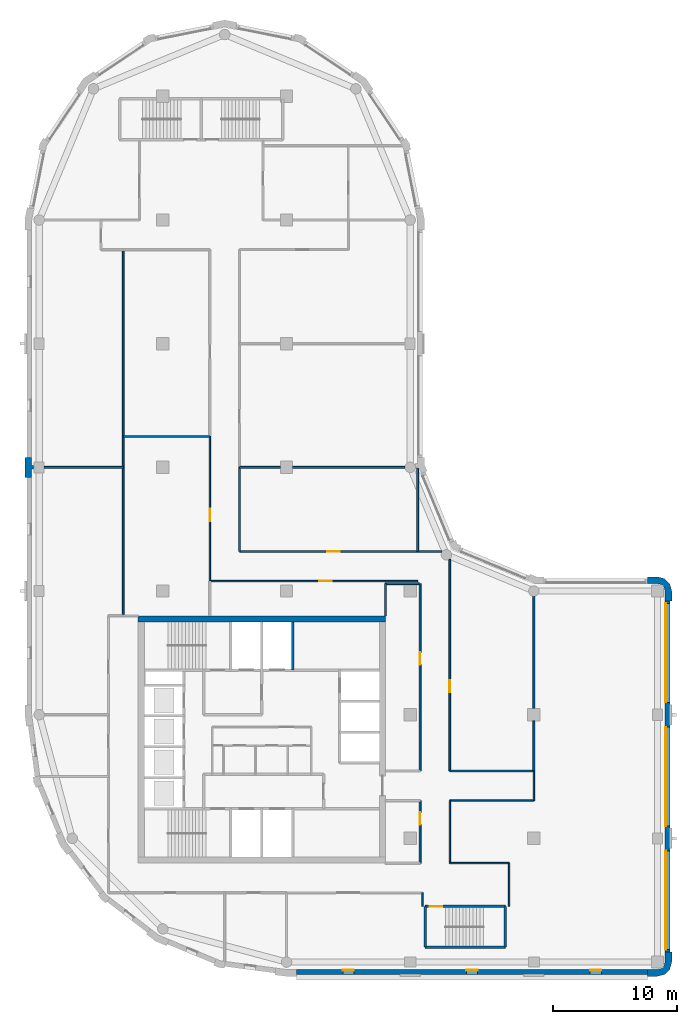
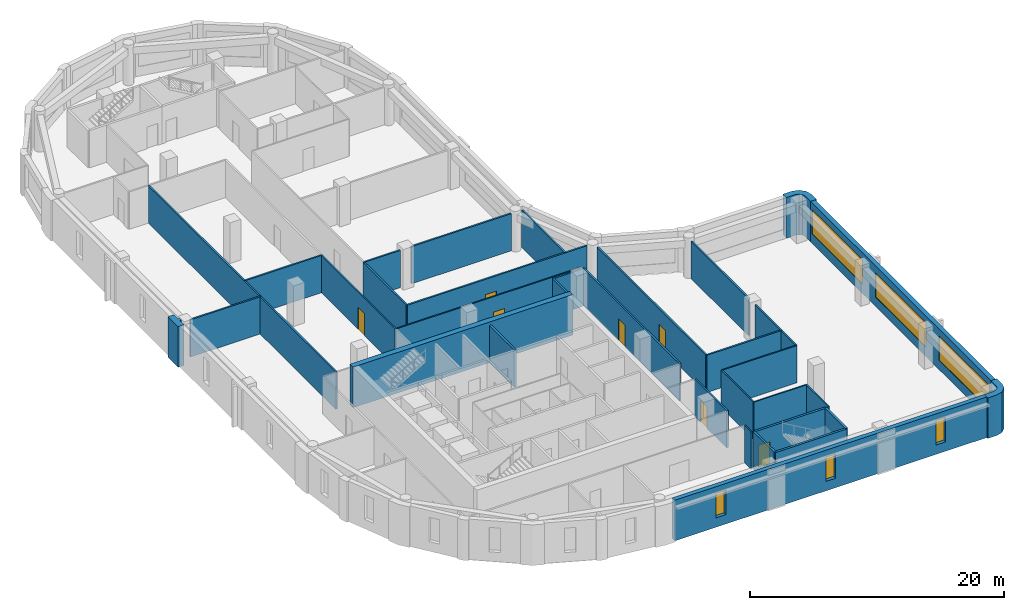
# One storey, part 4 of 9: 35 walls, 7 doors, 6 windows, 13 openings.
"""IFC4 building model written with IfcOpenShell, lengths in metres."""

import ifcopenshell
import ifcopenshell.guid

model = None  # the IFC model being written
_history = None  # IfcOwnerHistory: only IFC2X3 demands one
_inside = {}  # id of a spatial element -> (the spatial element, [elements in it])
_under = {}  # id of a project, library or spatial element -> (it, [spatial elements below it])
_declared = {}  # id of a project -> (the project, [libraries it declares])
_typed = {}  # id of a type object -> (the type object, [elements of that type])
_made_of = {}  # id of a material, layer set ... -> (it, [elements and type objects made of it])


def new_model(schema):
    """Start an empty IFC model of exactly this schema.

    Asked for "IFC4X3", IfcOpenShell would pick the latest addendum, in which some entities
    have other attributes; the version numbers below select the first issue.
    IFC2X3 requires an IfcOwnerHistory on every rooted entity: one is made here for all.
    """
    global model, _history
    if schema == "IFC4X3":
        model = ifcopenshell.file(schema_version=(4, 3, 0, 0))
    else:
        model = ifcopenshell.file(schema=schema)
    _inside.clear()
    _under.clear()
    _declared.clear()
    _typed.clear()
    _made_of.clear()
    _history = None
    if model.schema == "IFC2X3":
        org = make("IfcOrganization", Name="unknown")
        user = make(
            "IfcPersonAndOrganization",
            ThePerson=make("IfcPerson", FamilyName="unknown"),
            TheOrganization=org,
        )
        app = make(
            "IfcApplication",
            ApplicationDeveloper=org,
            Version="unknown",
            ApplicationFullName="unknown",
            ApplicationIdentifier="unknown",
        )
        _history = make(
            "IfcOwnerHistory",
            OwningUser=user,
            OwningApplication=app,
            ChangeAction="ADDED",
            CreationDate=0,
        )
    return model


def make(cls, **values):
    """One entity of the class cls with the attributes given. An attribute that is None is left unset."""
    return model.create_entity(
        cls, **{name: value for name, value in values.items() if value is not None}
    )


def rooted(cls, **values):
    """An entity with a GlobalId (a new one), such as an element, a storey or a relation."""
    return make(cls, GlobalId=ifcopenshell.guid.new(), OwnerHistory=_history, **values)


def si_unit(unit_type, name, prefix=None):
    """IfcSIUnit, for example si_unit("LENGTHUNIT", "METRE", prefix="MILLI")."""
    return make("IfcSIUnit", UnitType=unit_type, Prefix=prefix, Name=name)


def assignment(units):
    """IfcUnitAssignment: the units of a project."""
    return None if units is None else make("IfcUnitAssignment", Units=units)


def point(xyz):
    """IfcCartesianPoint."""
    return None if xyz is None else make("IfcCartesianPoint", Coordinates=xyz)


def direction(xyz):
    """IfcDirection."""
    return None if xyz is None else make("IfcDirection", DirectionRatios=xyz)


def frame(location, z_axis=None, x_axis=None):
    """IfcAxis2Placement3D, a coordinate frame: its origin and axes. An axis left out is left unset."""
    return make(
        "IfcAxis2Placement3D",
        Location=point(location),
        Axis=direction(z_axis),
        RefDirection=direction(x_axis),
    )


def frame_2d(location, x_axis=None):
    """IfcAxis2Placement2D, a coordinate frame in the plane: its origin and x axis."""
    return make(
        "IfcAxis2Placement2D", Location=point(location), RefDirection=direction(x_axis)
    )


def origin():
    """The frame at (0, 0, 0) with its axes left unset."""
    return frame((0.0, 0.0, 0.0))


def place(relative_to, where):
    """IfcLocalPlacement: puts the frame where relative to a parent placement (None: the world)."""
    return make(
        "IfcLocalPlacement", PlacementRelTo=relative_to, RelativePlacement=where
    )


def context(
    kind, dimensions, precision=None, world=None, true_north=None, identifier=None
):
    """IfcGeometricRepresentationContext, for example the 3D "Model" context."""
    return make(
        "IfcGeometricRepresentationContext",
        ContextIdentifier=identifier,
        ContextType=kind,
        CoordinateSpaceDimension=dimensions,
        Precision=precision,
        WorldCoordinateSystem=world,
        TrueNorth=true_north,
    )


def subcontext(parent, identifier, kind, view, scale=None):
    """IfcGeometricRepresentationSubContext, for example "Body" below "Model"."""
    return make(
        "IfcGeometricRepresentationSubContext",
        ContextIdentifier=identifier,
        ContextType=kind,
        ParentContext=parent,
        TargetScale=scale,
        TargetView=view,
    )


def project(units=None, contexts=None):
    """IfcProject with its units and contexts."""
    return rooted(
        "IfcProject",
        Name="project",
        RepresentationContexts=contexts,
        UnitsInContext=assignment(units),
    )


def spatial(cls, under=None, at=None, **own):
    """A site, building, storey or space (cls), placed at a placement, below another one or the project."""
    s = rooted(cls, ObjectPlacement=at, **own)
    if under is not None:
        _under.setdefault(under.id(), (under, []))[1].append(s)
    return s


def polyline(points):
    """IfcPolyline through the points."""
    return make("IfcPolyline", Points=[point(p) for p in points])


def profile(cls, at=None, kind="AREA", **sizes):
    """A parametric profile (cls). Its sizes go by their IFC names, for example OverallWidth=200.0."""
    return make(cls, ProfileType=kind, Position=at, **sizes)


def rectangle(**sizes):
    """IfcRectangleProfileDef."""
    return profile("IfcRectangleProfileDef", **sizes)


def outline(outer, holes=None, kind="AREA"):
    """IfcArbitraryClosedProfileDef: a profile drawn as a closed curve; with holes, ...WithVoids."""
    if holes is None:
        return make("IfcArbitraryClosedProfileDef", ProfileType=kind, OuterCurve=outer)
    return make(
        "IfcArbitraryProfileDefWithVoids",
        ProfileType=kind,
        OuterCurve=outer,
        InnerCurves=holes,
    )


def extrude(swept, where, along, depth):
    """IfcExtrudedAreaSolid: the profile swept, set in the frame where, extruded along a direction by depth."""
    return make(
        "IfcExtrudedAreaSolid",
        SweptArea=swept,
        Position=where,
        ExtrudedDirection=direction(along),
        Depth=depth,
    )


def shape(context_of_items, identifier, shape_type, items):
    """IfcShapeRepresentation: the items that make up one representation, for example the "Body"."""
    return make(
        "IfcShapeRepresentation",
        ContextOfItems=context_of_items,
        RepresentationIdentifier=identifier,
        RepresentationType=shape_type,
        Items=items,
    )


def material(Name=None, Category=None):
    """IfcMaterial."""
    return make("IfcMaterial", Name=Name, Category=Category)


def layer(
    of_material, thickness, ventilated=None, Name=None, Category=None, Priority=None
):
    """IfcMaterialLayer: one layer of a wall or slab, of a material (None: an air gap)."""
    return make(
        "IfcMaterialLayer",
        Material=of_material,
        LayerThickness=thickness,
        IsVentilated=ventilated,
        Name=Name,
        Category=Category,
        Priority=Priority,
    )


def layer_set(layers, Name=None):
    """IfcMaterialLayerSet."""
    return make("IfcMaterialLayerSet", MaterialLayers=layers, LayerSetName=Name)


def made_of(thing, what):
    """Note that an element or type object is made of a material, layer set ...; save() writes the relation."""
    if what is not None:
        _made_of.setdefault(what.id(), (what, []))[1].append(thing)
    return thing


def type_object(cls, material=None, **own):
    """A type object (cls), such as IfcWallType, which elements share."""
    return made_of(rooted(cls, **own), material)


def element(
    cls,
    number,
    at=None,
    inside=None,
    cuts=None,
    type_object=None,
    material=None,
    context=None,
    identifier="Body",
    shape_type=None,
    held_by="IfcProductDefinitionShape",
    body=None,
    shapes=None,
    **own,
):
    """One element of the class cls, such as IfcWall. Its Tag is "e" and its number.

    at: its placement. inside: the storey or other place that contains it. cuts: it is an
    opening in that element (IfcRelVoidsElement). A single representation is given by context,
    identifier, shape_type and body (its items); several are given by shapes. held_by: the class
    of the entity that holds the representations. save() writes the other relations.
    """
    e = rooted(cls, Tag="e%d" % number, ObjectPlacement=at, **own)
    if body is not None:
        shapes = [shape(context, identifier, shape_type, body)]
    if shapes is not None:
        e.Representation = make(held_by, Representations=shapes)
    if inside is not None:
        _inside.setdefault(inside.id(), (inside, []))[1].append(e)
    if cuts is not None:
        rooted(
            "IfcRelVoidsElement", RelatingBuildingElement=cuts, RelatedOpeningElement=e
        )
    if type_object is not None:
        _typed.setdefault(type_object.id(), (type_object, []))[1].append(e)
    return made_of(e, material)


def fill(opening, filler):
    """IfcRelFillsElement: the door or window that sits in an opening."""
    return rooted(
        "IfcRelFillsElement",
        RelatingOpeningElement=opening,
        RelatedBuildingElement=filler,
    )


def aggregate(whole, parts):
    """IfcRelAggregates: a whole, such as a stair, and the parts it consists of."""
    return rooted("IfcRelAggregates", RelatingObject=whole, RelatedObjects=parts)


def save(model, path):
    """Write the relations noted so far, then the file.

    IfcRelAggregates (storeys below a building ...), IfcRelContainedInSpatialStructure (elements
    in a storey), IfcRelDefinesByType, IfcRelAssociatesMaterial and IfcRelDeclares: one each for
    every whole, place, type object, material and project.
    """
    for whole, parts in _under.values():
        aggregate(whole, parts)
    for where, things in _inside.values():
        rooted(
            "IfcRelContainedInSpatialStructure",
            RelatedElements=things,
            RelatingStructure=where,
        )
    for kind, things in _typed.values():
        rooted("IfcRelDefinesByType", RelatedObjects=things, RelatingType=kind)
    for what, things in _made_of.values():
        rooted("IfcRelAssociatesMaterial", RelatedObjects=things, RelatingMaterial=what)
    for by, libraries in _declared.values():
        rooted("IfcRelDeclares", RelatingContext=by, RelatedDefinitions=libraries)
    model.write(path)


model = new_model("IFC4")

# Units and contexts
model_context = context("Model", 3, precision=1e-05, world=origin(), true_north=direction((0.0, 1.0)))
body_context = subcontext(model_context, "Body", "Model", "MODEL_VIEW")
ifc_project = project(units=[si_unit("LENGTHUNIT", "METRE"), si_unit("AREAUNIT", "SQUARE_METRE"), si_unit("VOLUMEUNIT", "CUBIC_METRE"), si_unit("PLANEANGLEUNIT", "RADIAN"), si_unit("MASSUNIT", "GRAM", prefix="KILO")], contexts=[model_context])

# Site, building, storey
site_placement = place(None, origin())
site = spatial("IfcSite", under=ifc_project, at=site_placement, CompositionType="ELEMENT")
building_placement = place(site_placement, origin())
building = spatial("IfcBuilding", under=site, at=building_placement, Name="Qaws Garden Tower", CompositionType="ELEMENT")
storey_placement = place(building_placement, frame((0.0, 0.0, 263.10009765625)))
storey = spatial("IfcBuildingStorey", under=building, at=storey_placement, Name="L63", CompositionType="ELEMENT", Elevation=263.10009765625)

# Walls
ifc_material_1 = material(Name="Clay facing brick masonry", Category="masonry")
ifc_layer_1 = layer(ifc_material_1, 0.550048828125)
ifc_layer_set_1 = layer_set([ifc_layer_1], Name="Clay facing brick masonry")
wall_type_1 = type_object("IfcWallType", Name="Brick corner pier 550 x 2400", PredefinedType="SOLIDWALL", material=ifc_layer_set_1)
placement = place(storey_placement, origin())
element("IfcWall", 1, at=placement, inside=storey, type_object=wall_type_1, Name="E-L63-pier-03", PredefinedType="SOLIDWALL", context=body_context, shape_type="SweptSolid", body=[
    extrude(outline(polyline([(49.199951171875, -1.0), (49.199951171875, -1.14990234375), (50.0, -1.14990234375), (50.574951171875, -0.995849609375), (50.995849609375, -0.574951171875), (51.14990234375, 0.0), (51.14990234375, 0.800048828125), (51.0, 0.800048828125), (50.60009765625, 0.800048828125), (50.60009765625, 0.0), (50.51953125, -0.300048828125), (50.300048828125, -0.51953125), (50.0, -0.60009765625), (49.199951171875, -0.60009765625), (49.199951171875, -1.0)])), origin(), (0.0, 0.0, 1.0), 3.89990234375),
])
element("IfcWall", 2, at=placement, inside=storey, type_object=wall_type_1, Name="E-L63-pier-06", PredefinedType="SOLIDWALL", context=body_context, shape_type="SweptSolid", body=[
    extrude(outline(polyline([(51.0, 29.199951171875), (51.14990234375, 29.199951171875), (51.14990234375, 30.0), (50.995849609375, 30.574951171875), (50.574951171875, 30.995849609375), (50.0, 31.14990234375), (49.199951171875, 31.14990234375), (49.199951171875, 31.0), (49.199951171875, 30.60009765625), (50.0, 30.60009765625), (50.300048828125, 30.51953125), (50.51953125, 30.300048828125), (50.60009765625, 30.0), (50.60009765625, 29.199951171875), (51.0, 29.199951171875)])), origin(), (0.0, 0.0, 1.0), 3.89990234375),
])

# Wall, openings, windows
ifc_material_2 = material(Name="Clay facing brick masonry", Category="masonry")
ifc_layer_2 = layer(ifc_material_2, 0.39990234375)
ifc_layer_set_2 = layer_set([ifc_layer_2], Name="Clay facing brick masonry")
wall_type_2 = type_object("IfcWallType", Name="Brick infill wall 400", PredefinedType="SOLIDWALL", material=ifc_layer_set_2)
wall_3_placement = place(storey_placement, frame((20.800048828125, -0.800048828125, 0.0), z_axis=(0.0, 0.0, 1.0), x_axis=(1.0, 0.0, 0.0)))
wall_3 = element("IfcWall", 3, at=wall_3_placement, inside=storey, type_object=wall_type_2, Name="E-L63-infill-00", PredefinedType="SOLIDWALL", context=body_context, shape_type="SweptSolid", body=[
    extrude(rectangle(XDim=28.39990234375, YDim=0.39990234375, at=frame_2d((14.199951171875, 0.0))), origin(), (0.0, 0.0, 1.0), 3.89990234375),
])
opening_1_placement = place(wall_3_placement, frame((3.75, 0.0, 0.89990234375)))
opening_1 = element("IfcOpeningElement", 4, at=opening_1_placement, cuts=wall_3, Name="Opening W09", PredefinedType="OPENING", context=body_context, shape_type="SweptSolid", body=[
    extrude(rectangle(XDim=0.89990234375, YDim=2.35009765625, at=frame_2d((0.449951171875, 1.175048828125))), frame((0.0, 0.2099609375, 0.0), z_axis=(0.0, -1.0, 0.0), x_axis=(1.0, 0.0, 0.0)), (0.0, 0.0, 1.0), 0.419921875),
])
opening_2_placement = place(wall_3_placement, frame((13.75, 0.0, 0.89990234375)))
opening_2 = element("IfcOpeningElement", 5, at=opening_2_placement, cuts=wall_3, Name="Opening W09", PredefinedType="OPENING", context=body_context, shape_type="SweptSolid", body=[
    extrude(rectangle(XDim=0.89990234375, YDim=2.35009765625, at=frame_2d((0.449951171875, 1.175048828125))), frame((0.0, 0.2099609375, 0.0), z_axis=(0.0, -1.0, 0.0), x_axis=(1.0, 0.0, 0.0)), (0.0, 0.0, 1.0), 0.419921875),
])
opening_3_placement = place(wall_3_placement, frame((23.75, 0.0, 0.89990234375)))
opening_3 = element("IfcOpeningElement", 6, at=opening_3_placement, cuts=wall_3, Name="Opening W09", PredefinedType="OPENING", context=body_context, shape_type="SweptSolid", body=[
    extrude(rectangle(XDim=0.89990234375, YDim=2.35009765625, at=frame_2d((0.449951171875, 1.175048828125))), frame((0.0, 0.2099609375, 0.0), z_axis=(0.0, -1.0, 0.0), x_axis=(1.0, 0.0, 0.0)), (0.0, 0.0, 1.0), 0.419921875),
])
ifc_material_3 = material(Name="Aluminium framed window, clear glazing", Category="aluminium")
window_type_1 = type_object("IfcWindowType", Name="Slit window 900 x 2350", PartitioningType="SINGLE_PANEL", PredefinedType="WINDOW", material=ifc_material_3)
window_1_placement = place(opening_1_placement, origin())
window_1 = element("IfcWindow", 7, at=window_1_placement, inside=storey, type_object=window_type_1, Name="E-L63-window-00-0", OverallHeight=2.35009765625, OverallWidth=0.89990234375, PartitioningType="SINGLE_PANEL", PredefinedType="WINDOW", context=body_context, shape_type="SweptSolid", body=[
    extrude(rectangle(XDim=0.89990234375, YDim=2.35009765625, at=frame_2d((0.449951171875, 1.175048828125))), frame((0.0, 0.159912109375, 0.0), z_axis=(0.0, -1.0, 0.0), x_axis=(1.0, 0.0, 0.0)), (0.0, 0.0, 1.0), 0.06005859375),
])
fill(opening_1, window_1)
window_2_placement = place(opening_2_placement, origin())
window_2 = element("IfcWindow", 8, at=window_2_placement, inside=storey, type_object=window_type_1, Name="E-L63-window-01-0", OverallHeight=2.35009765625, OverallWidth=0.89990234375, PartitioningType="SINGLE_PANEL", PredefinedType="WINDOW", context=body_context, shape_type="SweptSolid", body=[
    extrude(rectangle(XDim=0.89990234375, YDim=2.35009765625, at=frame_2d((0.449951171875, 1.175048828125))), frame((0.0, 0.159912109375, 0.0), z_axis=(0.0, -1.0, 0.0), x_axis=(1.0, 0.0, 0.0)), (0.0, 0.0, 1.0), 0.06005859375),
])
fill(opening_2, window_2)
window_3_placement = place(opening_3_placement, origin())
window_3 = element("IfcWindow", 9, at=window_3_placement, inside=storey, type_object=window_type_1, Name="E-L63-window-02-0", OverallHeight=2.35009765625, OverallWidth=0.89990234375, PartitioningType="SINGLE_PANEL", PredefinedType="WINDOW", context=body_context, shape_type="SweptSolid", body=[
    extrude(rectangle(XDim=0.89990234375, YDim=2.35009765625, at=frame_2d((0.449951171875, 1.175048828125))), frame((0.0, 0.159912109375, 0.0), z_axis=(0.0, -1.0, 0.0), x_axis=(1.0, 0.0, 0.0)), (0.0, 0.0, 1.0), 0.06005859375),
])
fill(opening_3, window_3)

wall_4_placement = place(storey_placement, frame((50.800048828125, 0.800048828125, 0.0), z_axis=(0.0, 0.0, 1.0), x_axis=(0.0, 1.0, 0.0)))
wall_4 = element("IfcWall", 10, at=wall_4_placement, inside=storey, type_object=wall_type_2, Name="E-L63-infill-03", PredefinedType="SOLIDWALL", context=body_context, shape_type="SweptSolid", body=[
    extrude(rectangle(XDim=28.39990234375, YDim=0.39990234375, at=frame_2d((14.199951171875, 0.0))), origin(), (0.0, 0.0, 1.0), 3.89990234375),
])
opening_4_placement = place(wall_4_placement, frame((0.199951171875, 0.0, 0.89990234375)))
opening_4 = element("IfcOpeningElement", 11, at=opening_4_placement, cuts=wall_4, Name="Opening W01", PredefinedType="OPENING", context=body_context, shape_type="SweptSolid", body=[
    extrude(rectangle(XDim=8.0, YDim=2.35009765625, at=frame_2d((4.0, 1.175048828125))), frame((0.0, 0.2099609375, 0.0), z_axis=(0.0, -1.0, 0.0), x_axis=(1.0, 0.0, 0.0)), (0.0, 0.0, 1.0), 0.419921875),
])
opening_5_placement = place(wall_4_placement, frame((10.199951171875, 0.0, 0.89990234375)))
opening_5 = element("IfcOpeningElement", 12, at=opening_5_placement, cuts=wall_4, Name="Opening W01", PredefinedType="OPENING", context=body_context, shape_type="SweptSolid", body=[
    extrude(rectangle(XDim=8.0, YDim=2.35009765625, at=frame_2d((4.0, 1.175048828125))), frame((0.0, 0.2099609375, 0.0), z_axis=(0.0, -1.0, 0.0), x_axis=(1.0, 0.0, 0.0)), (0.0, 0.0, 1.0), 0.419921875),
])
opening_6_placement = place(wall_4_placement, frame((20.199951171875, 0.0, 0.89990234375)))
opening_6 = element("IfcOpeningElement", 13, at=opening_6_placement, cuts=wall_4, Name="Opening W01", PredefinedType="OPENING", context=body_context, shape_type="SweptSolid", body=[
    extrude(rectangle(XDim=8.0, YDim=2.35009765625, at=frame_2d((4.0, 1.175048828125))), frame((0.0, 0.2099609375, 0.0), z_axis=(0.0, -1.0, 0.0), x_axis=(1.0, 0.0, 0.0)), (0.0, 0.0, 1.0), 0.419921875),
])
ifc_material_4 = material(Name="Aluminium framed window, clear glazing", Category="aluminium")
window_type_2 = type_object("IfcWindowType", Name="Ribbon window 8000 x 2350", PartitioningType="DOUBLE_PANEL_VERTICAL", PredefinedType="WINDOW", material=ifc_material_4)
window_4_placement = place(opening_4_placement, origin())
window_4 = element("IfcWindow", 14, at=window_4_placement, inside=storey, type_object=window_type_2, Name="E-L63-window-03-0", OverallHeight=2.35009765625, OverallWidth=8.0, PartitioningType="SINGLE_PANEL", PredefinedType="WINDOW", context=body_context, shape_type="SweptSolid", body=[
    extrude(rectangle(XDim=8.0, YDim=2.35009765625, at=frame_2d((4.0, 1.175048828125))), frame((0.0, 0.159912109375, 0.0), z_axis=(0.0, -1.0, 0.0), x_axis=(1.0, 0.0, 0.0)), (0.0, 0.0, 1.0), 0.06005859375),
])
fill(opening_4, window_4)
window_5_placement = place(opening_5_placement, origin())
window_5 = element("IfcWindow", 15, at=window_5_placement, inside=storey, type_object=window_type_2, Name="E-L63-window-04-0", OverallHeight=2.35009765625, OverallWidth=8.0, PartitioningType="SINGLE_PANEL", PredefinedType="WINDOW", context=body_context, shape_type="SweptSolid", body=[
    extrude(rectangle(XDim=8.0, YDim=2.35009765625, at=frame_2d((4.0, 1.175048828125))), frame((0.0, 0.159912109375, 0.0), z_axis=(0.0, -1.0, 0.0), x_axis=(1.0, 0.0, 0.0)), (0.0, 0.0, 1.0), 0.06005859375),
])
fill(opening_5, window_5)
window_6_placement = place(opening_6_placement, origin())
window_6 = element("IfcWindow", 16, at=window_6_placement, inside=storey, type_object=window_type_2, Name="E-L63-window-05-0", OverallHeight=2.35009765625, OverallWidth=8.0, PartitioningType="SINGLE_PANEL", PredefinedType="WINDOW", context=body_context, shape_type="SweptSolid", body=[
    extrude(rectangle(XDim=8.0, YDim=2.35009765625, at=frame_2d((4.0, 1.175048828125))), frame((0.0, 0.159912109375, 0.0), z_axis=(0.0, -1.0, 0.0), x_axis=(1.0, 0.0, 0.0)), (0.0, 0.0, 1.0), 0.06005859375),
])
fill(opening_6, window_6)

# Walls
ifc_material_5 = material(Name="Clay facing brick masonry", Category="masonry")
ifc_layer_3 = layer(ifc_material_5, 0.550048828125)
ifc_layer_set_3 = layer_set([ifc_layer_3], Name="Clay facing brick masonry")
wall_type_3 = type_object("IfcWallType", Name="Brick pier 550 x 1600", PredefinedType="SOLIDWALL", material=ifc_layer_set_3)
element("IfcWall", 17, at=placement, inside=storey, type_object=wall_type_3, Name="E-L63-pier-21", PredefinedType="SOLIDWALL", context=body_context, shape_type="SweptSolid", body=[
    extrude(outline(polyline([(-0.60009765625, 39.199951171875), (-0.60009765625, 39.85009765625), (-0.449951171875, 39.85009765625), (-0.449951171875, 40.14990234375), (-0.60009765625, 40.14990234375), (-0.60009765625, 40.800048828125), (-1.0, 40.800048828125), (-1.14990234375, 40.800048828125), (-1.14990234375, 40.0), (-1.14990234375, 39.199951171875), (-1.0, 39.199951171875), (-0.60009765625, 39.199951171875)])), origin(), (0.0, 0.0, 1.0), 3.89990234375),
])
ifc_material_6 = material(Name="Concrete C60", Category="concrete")
ifc_layer_4 = layer(ifc_material_6, 0.199951171875)
ifc_layer_set_4 = layer_set([ifc_layer_4], Name="Concrete C60")
wall_type_4 = type_object("IfcWallType", Name="Core shaft wall 200 C60", PredefinedType="SHEAR", material=ifc_layer_set_4)
wall_6_placement = place(storey_placement, frame((31.199951171875, 1.199951171875, 0.0), z_axis=(0.0, 0.0, 1.0), x_axis=(1.0, 0.0, 0.0)))
element("IfcWall", 18, at=wall_6_placement, inside=storey, type_object=wall_type_4, Name="Shaft wall", PredefinedType="SHEAR", context=body_context, shape_type="SweptSolid", body=[
    extrude(rectangle(XDim=6.5, YDim=0.199951171875, at=frame_2d((3.25, 0.0))), origin(), (0.0, 0.0, 1.0), 3.579833984375),
])

# Wall, opening, door
wall_7_placement = place(storey_placement, frame((31.199951171875, 4.5, 0.0), z_axis=(0.0, 0.0, 1.0), x_axis=(1.0, 0.0, 0.0)))
wall_7 = element("IfcWall", 19, at=wall_7_placement, inside=storey, type_object=wall_type_4, Name="Shaft wall", PredefinedType="SHEAR", context=body_context, shape_type="SweptSolid", body=[
    extrude(rectangle(XDim=6.5, YDim=0.199951171875, at=frame_2d((3.25, 0.0))), origin(), (0.0, 0.0, 1.0), 3.579833984375),
])
opening_7_placement = place(wall_7_placement, frame((0.375, 0.0, 0.0)))
opening_7 = element("IfcOpeningElement", 20, at=opening_7_placement, cuts=wall_7, Name="Opening SD12", PredefinedType="OPENING", context=body_context, shape_type="SweptSolid", body=[
    extrude(rectangle(XDim=1.0, YDim=2.10009765625, at=frame_2d((0.5, 1.050048828125))), frame((0.0, 0.10986328125, 0.0), z_axis=(0.0, -1.0, 0.0), x_axis=(1.0, 0.0, 0.0)), (0.0, 0.0, 1.0), 0.219970703125),
])
ifc_material_7 = material(Name="Steel S235", Category="steel")
door_type_1 = type_object("IfcDoorType", Name="Stair door 1000x2100", OperationType="SINGLE_SWING_RIGHT", PredefinedType="DOOR", material=ifc_material_7)
door_1_placement = place(opening_7_placement, frame((1.0, 0.0, 0.0), z_axis=(0.0, 0.0, 1.0), x_axis=(-1.0, 0.0, 0.0)))
door_1 = element("IfcDoor", 21, at=door_1_placement, inside=storey, type_object=door_type_1, Name="Stair 5 door", OperationType="SINGLE_SWING_RIGHT", OverallHeight=2.10009765625, OverallWidth=1.0, PredefinedType="DOOR", context=body_context, shape_type="SweptSolid", body=[
    extrude(rectangle(XDim=1.0, YDim=2.10009765625, at=frame_2d((0.5, 1.050048828125))), frame((0.0, 0.02490234375, 0.0), z_axis=(0.0, -1.0, 0.0), x_axis=(1.0, 0.0, 0.0)), (0.0, 0.0, 1.0), 0.050048828125),
])
fill(opening_7, door_1)

# Walls
wall_8_placement = place(storey_placement, frame((20.5, 23.60009765625, 0.0), z_axis=(0.0, 0.0, 1.0), x_axis=(0.0, 1.0, 0.0)))
element("IfcWall", 22, at=wall_8_placement, inside=storey, type_object=wall_type_4, Name="Shaft wall", PredefinedType="SHEAR", context=body_context, shape_type="SweptSolid", body=[
    extrude(rectangle(XDim=3.89990234375, YDim=0.199951171875, at=frame_2d((1.949951171875, 0.0))), origin(), (0.0, 0.0, 1.0), 3.579833984375),
])
for number, where, z_axis, x_axis, name in (
    (23, (31.199951171875, 1.199951171875, 0.0), (0.0, 0.0, 1.0), (0.0, 1.0, 0.0), "Shaft wall"),
    (24, (37.699951171875, 1.199951171875, 0.0), (0.0, 0.0, 1.0), (0.0, 1.0, 0.0), "Shaft wall"),
):
    element("IfcWall", number, at=place(storey_placement, frame(where, z_axis=z_axis, x_axis=x_axis)), inside=storey, type_object=wall_type_4, Name=name, PredefinedType="SHEAR", context=body_context, shape_type="SweptSolid", body=[
        extrude(rectangle(XDim=3.300048828125, YDim=0.199951171875, at=frame_2d((1.64990234375, 0.0))), origin(), (0.0, 0.0, 1.0), 3.579833984375),
    ])
ifc_material_8 = material(Name="Concrete C60", Category="concrete")
ifc_layer_5 = layer(ifc_material_8, 0.5)
ifc_layer_set_5 = layer_set([ifc_layer_5], Name="Concrete C60")
wall_type_5 = type_object("IfcWallType", Name="Core wall 500 C60", PredefinedType="SHEAR", material=ifc_layer_set_5)
wall_9_placement = place(storey_placement, frame((28.0, 27.75, 0.0), z_axis=(0.0, 0.0, 1.0), x_axis=(-1.0, 0.0, 0.0)))
element("IfcWall", 25, at=wall_9_placement, inside=storey, type_object=wall_type_5, Name="Core wall L63 north", PredefinedType="SHEAR", context=body_context, shape_type="SweptSolid", body=[
    extrude(rectangle(XDim=20.0, YDim=0.5, at=frame_2d((10.0, 0.0))), origin(), (0.0, 0.0, 1.0), 3.89990234375),
])

# Wall, opening, door
ifc_material_9 = material(Name="Glass and aluminium framing", Category="aluminium")
ifc_layer_6 = layer(ifc_material_9, 0.1201171875)
ifc_layer_set_6 = layer_set([ifc_layer_6], Name="Glass and aluminium framing")
wall_type_6 = type_object("IfcWallType", Name="GLAZED PARTITION 120 EI 30", PredefinedType="PARTITIONING", material=ifc_layer_set_6)
wall_10_placement = place(storey_placement, frame((13.800048828125, 30.800048828125, 0.0), z_axis=(0.0, 0.0, 1.0), x_axis=(0.0, 1.0, 0.0)))
wall_10 = element("IfcWall", 26, at=wall_10_placement, inside=storey, type_object=wall_type_6, Name="O-L63-wall-041", PredefinedType="PARTITIONING", context=body_context, shape_type="SweptSolid", body=[
    extrude(rectangle(XDim=11.699951171875, YDim=0.1201171875, at=frame_2d((5.85009765625, 0.0))), origin(), (0.0, 0.0, 1.0), 3.579833984375),
])
opening_8_placement = place(wall_10_placement, frame((4.85009765625, 0.0, 0.0)))
opening_8 = element("IfcOpeningElement", 27, at=opening_8_placement, cuts=wall_10, Name="Opening C217", PredefinedType="OPENING", context=body_context, shape_type="SweptSolid", body=[
    extrude(rectangle(XDim=1.0, YDim=2.10009765625, at=frame_2d((0.5, 1.050048828125))), frame((0.0, 0.070068359375, 0.0), z_axis=(0.0, -1.0, 0.0), x_axis=(1.0, 0.0, 0.0)), (0.0, 0.0, 1.0), 0.14013671875),
])
ifc_material_10 = material(Name="Timber door leaf", Category="wood")
door_type_2 = type_object("IfcDoorType", Name="TENANCY ENTRANCE DOOR 1000 X 2100", OperationType="SINGLE_SWING_LEFT", PredefinedType="DOOR", material=ifc_material_10)
door_2_placement = place(opening_8_placement, origin())
door_2 = element("IfcDoor", 28, at=door_2_placement, inside=storey, type_object=door_type_2, Name="O-L63-door-017", OperationType="SINGLE_SWING_LEFT", OverallHeight=2.10009765625, OverallWidth=1.0, PredefinedType="DOOR", context=body_context, shape_type="SweptSolid", body=[
    extrude(rectangle(XDim=1.0, YDim=2.10009765625, at=frame_2d((0.5, 1.050048828125))), frame((0.0, 0.02490234375, 0.0), z_axis=(0.0, -1.0, 0.0), x_axis=(1.0, 0.0, 0.0)), (0.0, 0.0, 1.0), 0.050048828125),
])
fill(opening_8, door_2)

# Walls
wall_11_placement = place(storey_placement, frame((31.0, 4.5, 0.0), z_axis=(0.0, 0.0, 1.0), x_axis=(0.0, 1.0, 0.0)))
element("IfcWall", 29, at=wall_11_placement, inside=storey, type_object=wall_type_6, Name="O-L63-wall-045", PredefinedType="PARTITIONING", context=body_context, shape_type="SweptSolid", body=[
    extrude(rectangle(XDim=1.10009765625, YDim=0.1201171875, at=frame_2d((0.550048828125, 0.0))), origin(), (0.0, 0.0, 1.0), 3.579833984375),
])
wall_12_placement = place(storey_placement, frame((33.199951171875, 8.0, 0.0), z_axis=(0.0, 0.0, 1.0), x_axis=(0.0, 1.0, 0.0)))
element("IfcWall", 30, at=wall_12_placement, inside=storey, type_object=wall_type_6, Name="O-L63-wall-046", PredefinedType="PARTITIONING", context=body_context, shape_type="SweptSolid", body=[
    extrude(rectangle(XDim=5.050048828125, YDim=0.1201171875, at=frame_2d((2.52490234375, 0.0))), origin(), (0.0, 0.0, 1.0), 3.579833984375),
])
wall_13_placement = place(storey_placement, frame((38.0, 4.5, 0.0), z_axis=(0.0, 0.0, 1.0), x_axis=(0.0, 1.0, 0.0)))
element("IfcWall", 31, at=wall_13_placement, inside=storey, type_object=wall_type_6, Name="O-L63-wall-047", PredefinedType="PARTITIONING", context=body_context, shape_type="SweptSolid", body=[
    extrude(rectangle(XDim=3.5, YDim=0.1201171875, at=frame_2d((1.75, 0.0))), origin(), (0.0, 0.0, 1.0), 3.579833984375),
])
wall_14_placement = place(storey_placement, frame((40.0, 13.050048828125, 0.0), z_axis=(0.0, 0.0, 1.0), x_axis=(0.0, 1.0, 0.0)))
element("IfcWall", 32, at=wall_14_placement, inside=storey, type_object=wall_type_6, Name="O-L63-wall-048", PredefinedType="PARTITIONING", context=body_context, shape_type="SweptSolid", body=[
    extrude(rectangle(XDim=2.39990234375, YDim=0.1201171875, at=frame_2d((1.199951171875, 0.0))), origin(), (0.0, 0.0, 1.0), 3.579833984375),
])
wall_15_placement = place(storey_placement, frame((33.199951171875, 8.0, 0.0), z_axis=(0.0, 0.0, 1.0), x_axis=(1.0, 0.0, 0.0)))
element("IfcWall", 33, at=wall_15_placement, inside=storey, type_object=wall_type_6, Name="O-L63-wall-050", PredefinedType="PARTITIONING", context=body_context, shape_type="SweptSolid", body=[
    extrude(rectangle(XDim=4.800048828125, YDim=0.1201171875, at=frame_2d((2.39990234375, 0.0))), origin(), (0.0, 0.0, 1.0), 3.579833984375),
])
wall_16_placement = place(storey_placement, frame((33.199951171875, 13.050048828125, 0.0), z_axis=(0.0, 0.0, 1.0), x_axis=(1.0, 0.0, 0.0)))
element("IfcWall", 34, at=wall_16_placement, inside=storey, type_object=wall_type_6, Name="O-L63-wall-051", PredefinedType="PARTITIONING", context=body_context, shape_type="SweptSolid", body=[
    extrude(rectangle(XDim=6.800048828125, YDim=0.1201171875, at=frame_2d((3.39990234375, 0.0))), origin(), (0.0, 0.0, 1.0), 3.579833984375),
])

# Wall, opening, door
wall_17_placement = place(storey_placement, frame((13.802001953125, 30.800048828125, 0.0), z_axis=(0.0, 0.0, 1.0), x_axis=(1.0, 0.0, 0.0)))
wall_17 = element("IfcWall", 35, at=wall_17_placement, inside=storey, type_object=wall_type_6, Name="O-L63-wall-053", PredefinedType="PARTITIONING", context=body_context, shape_type="SweptSolid", body=[
    extrude(rectangle(XDim=16.798095703125, YDim=0.1201171875, at=frame_2d((8.39892578125, 0.0))), origin(), (0.0, 0.0, 1.0), 3.579833984375),
])
opening_9_placement = place(wall_17_placement, frame((8.85009765625, 0.0, 0.0)))
opening_9 = element("IfcOpeningElement", 36, at=opening_9_placement, cuts=wall_17, Name="Opening C210", PredefinedType="OPENING", context=body_context, shape_type="SweptSolid", body=[
    extrude(rectangle(XDim=1.0, YDim=2.10009765625, at=frame_2d((0.5, 1.050048828125))), frame((0.0, 0.070068359375, 0.0), z_axis=(0.0, -1.0, 0.0), x_axis=(1.0, 0.0, 0.0)), (0.0, 0.0, 1.0), 0.14013671875),
])
door_3_placement = place(opening_9_placement, frame((1.0, 0.0, 0.0), z_axis=(0.0, 0.0, 1.0), x_axis=(-1.0, 0.0, 0.0)))
door_3 = element("IfcDoor", 37, at=door_3_placement, inside=storey, type_object=door_type_2, Name="O-L63-door-010", OperationType="SINGLE_SWING_LEFT", OverallHeight=2.10009765625, OverallWidth=1.0, PredefinedType="DOOR", context=body_context, shape_type="SweptSolid", body=[
    extrude(rectangle(XDim=1.0, YDim=2.10009765625, at=frame_2d((0.5, 1.050048828125))), frame((0.0, 0.02490234375, 0.0), z_axis=(0.0, -1.0, 0.0), x_axis=(1.0, 0.0, 0.0)), (0.0, 0.0, 1.0), 0.050048828125),
])
fill(opening_9, door_3)

# Walls
ifc_material_11 = material(Name="Gypsum board partition")
ifc_layer_7 = layer(ifc_material_11, 0.14990234375)
ifc_layer_set_7 = layer_set([ifc_layer_7], Name="Gypsum board partition")
wall_type_7 = type_object("IfcWallType", Name="PARTITION 150 EI 60", PredefinedType="PARTITIONING", material=ifc_layer_set_7)
wall_18_placement = place(storey_placement, frame((6.800048828125, 28.0, 0.0), z_axis=(0.0, 0.0, 1.0), x_axis=(0.0, 1.0, 0.0)))
element("IfcWall", 38, at=wall_18_placement, inside=storey, type_object=wall_type_7, Name="O-L63-wall-004", PredefinedType="PARTITIONING", context=body_context, shape_type="SweptSolid", body=[
    extrude(rectangle(XDim=29.60009765625, YDim=0.14990234375, at=frame_2d((14.800048828125, 0.0))), origin(), (0.0, 0.0, 1.0), 3.579833984375),
])
wall_19_placement = place(storey_placement, frame((16.199951171875, 33.199951171875, 0.0), z_axis=(0.0, 0.0, 1.0), x_axis=(0.0, 1.0, 0.0)))
element("IfcWall", 39, at=wall_19_placement, inside=storey, type_object=wall_type_7, Name="O-L63-wall-008", PredefinedType="PARTITIONING", context=body_context, shape_type="SweptSolid", body=[
    extrude(rectangle(XDim=6.800048828125, YDim=0.14990234375, at=frame_2d((3.39990234375, 0.0))), origin(), (0.0, 0.0, 1.0), 3.579833984375),
])
wall_20_placement = place(storey_placement, frame((28.0, 28.0, 0.0), z_axis=(0.0, 0.0, 1.0), x_axis=(0.0, 1.0, 0.0)))
element("IfcWall", 40, at=wall_20_placement, inside=storey, type_object=wall_type_7, Name="O-L63-wall-011", PredefinedType="PARTITIONING", context=body_context, shape_type="SweptSolid", body=[
    extrude(rectangle(XDim=2.597900390625, YDim=0.14990234375, at=frame_2d((1.298828125, 0.0))), origin(), (0.0, 0.0, 1.0), 3.579833984375),
])
wall_21_placement = place(storey_placement, frame((30.60009765625, 33.199951171875, 0.0), z_axis=(0.0, 0.0, 1.0), x_axis=(0.0, 1.0, 0.0)))
element("IfcWall", 41, at=wall_21_placement, inside=storey, type_object=wall_type_7, Name="O-L63-wall-012", PredefinedType="PARTITIONING", context=body_context, shape_type="SweptSolid", body=[
    extrude(rectangle(XDim=6.73828125, YDim=0.14990234375, at=frame_2d((3.369140625, 0.0))), origin(), (0.0, 0.0, 1.0), 3.579833984375),
])

# Wall, opening, door
wall_22_placement = place(storey_placement, frame((30.800048828125, 8.0, 0.0), z_axis=(0.0, 0.0, 1.0), x_axis=(0.0, 1.0, 0.0)))
wall_22 = element("IfcWall", 42, at=wall_22_placement, inside=storey, type_object=wall_type_7, Name="O-L63-wall-013", PredefinedType="PARTITIONING", context=body_context, shape_type="SweptSolid", body=[
    extrude(rectangle(XDim=5.050048828125, YDim=0.14990234375, at=frame_2d((2.52490234375, 0.0))), origin(), (0.0, 0.0, 1.0), 3.579833984375),
])
opening_10_placement = place(wall_22_placement, frame((3.10009765625, 0.0, 0.0)))
opening_10 = element("IfcOpeningElement", 43, at=opening_10_placement, cuts=wall_22, Name="Opening C216", PredefinedType="OPENING", context=body_context, shape_type="SweptSolid", body=[
    extrude(rectangle(XDim=1.0, YDim=2.10009765625, at=frame_2d((0.5, 1.050048828125))), frame((0.0, 0.0849609375, 0.0), z_axis=(0.0, -1.0, 0.0), x_axis=(1.0, 0.0, 0.0)), (0.0, 0.0, 1.0), 0.169921875),
])
door_4_placement = place(opening_10_placement, origin())
door_4 = element("IfcDoor", 44, at=door_4_placement, inside=storey, type_object=door_type_2, Name="O-L63-door-016", OperationType="SINGLE_SWING_RIGHT", OverallHeight=2.10009765625, OverallWidth=1.0, PredefinedType="DOOR", context=body_context, shape_type="SweptSolid", body=[
    extrude(rectangle(XDim=1.0, YDim=2.10009765625, at=frame_2d((0.5, 1.050048828125))), frame((0.0, 0.02490234375, 0.0), z_axis=(0.0, -1.0, 0.0), x_axis=(1.0, 0.0, 0.0)), (0.0, 0.0, 1.0), 0.050048828125),
])
fill(opening_10, door_4)

wall_23_placement = place(storey_placement, frame((30.800048828125, 15.449951171875, 0.0), z_axis=(0.0, 0.0, 1.0), x_axis=(0.0, 1.0, 0.0)))
wall_23 = element("IfcWall", 45, at=wall_23_placement, inside=storey, type_object=wall_type_7, Name="O-L63-wall-014", PredefinedType="PARTITIONING", context=body_context, shape_type="SweptSolid", body=[
    extrude(rectangle(XDim=15.150146484375, YDim=0.14990234375, at=frame_2d((7.5751953125, 0.0))), origin(), (0.0, 0.0, 1.0), 3.579833984375),
])
opening_11_placement = place(wall_23_placement, frame((8.60009765625, 0.0, 0.0)))
opening_11 = element("IfcOpeningElement", 46, at=opening_11_placement, cuts=wall_23, Name="Opening C213", PredefinedType="OPENING", context=body_context, shape_type="SweptSolid", body=[
    extrude(rectangle(XDim=1.0, YDim=2.10009765625, at=frame_2d((0.5, 1.050048828125))), frame((0.0, 0.0849609375, 0.0), z_axis=(0.0, -1.0, 0.0), x_axis=(1.0, 0.0, 0.0)), (0.0, 0.0, 1.0), 0.169921875),
])
door_5_placement = place(opening_11_placement, origin())
door_5 = element("IfcDoor", 47, at=door_5_placement, inside=storey, type_object=door_type_2, Name="O-L63-door-013", OperationType="SINGLE_SWING_RIGHT", OverallHeight=2.10009765625, OverallWidth=1.0, PredefinedType="DOOR", context=body_context, shape_type="SweptSolid", body=[
    extrude(rectangle(XDim=1.0, YDim=2.10009765625, at=frame_2d((0.5, 1.050048828125))), frame((0.0, 0.02490234375, 0.0), z_axis=(0.0, -1.0, 0.0), x_axis=(1.0, 0.0, 0.0)), (0.0, 0.0, 1.0), 0.050048828125),
])
fill(opening_11, door_5)

wall_24_placement = place(storey_placement, frame((33.199951171875, 15.449951171875, 0.0), z_axis=(0.0, 0.0, 1.0), x_axis=(0.0, 1.0, 0.0)))
wall_24 = element("IfcWall", 48, at=wall_24_placement, inside=storey, type_object=wall_type_7, Name="O-L63-wall-015", PredefinedType="PARTITIONING", context=body_context, shape_type="SweptSolid", body=[
    extrude(rectangle(XDim=17.10205078125, YDim=0.14990234375, at=frame_2d((8.551025390625, 0.0))), origin(), (0.0, 0.0, 1.0), 3.579833984375),
])
opening_12_placement = place(wall_24_placement, frame((6.35009765625, 0.0, 0.0)))
opening_12 = element("IfcOpeningElement", 49, at=opening_12_placement, cuts=wall_24, Name="Opening C214", PredefinedType="OPENING", context=body_context, shape_type="SweptSolid", body=[
    extrude(rectangle(XDim=1.0, YDim=2.10009765625, at=frame_2d((0.5, 1.050048828125))), frame((0.0, 0.0849609375, 0.0), z_axis=(0.0, -1.0, 0.0), x_axis=(1.0, 0.0, 0.0)), (0.0, 0.0, 1.0), 0.169921875),
])
door_6_placement = place(opening_12_placement, frame((1.0, 0.0, 0.0), z_axis=(0.0, 0.0, 1.0), x_axis=(-1.0, 0.0, 0.0)))
door_6 = element("IfcDoor", 50, at=door_6_placement, inside=storey, type_object=door_type_2, Name="O-L63-door-014", OperationType="SINGLE_SWING_LEFT", OverallHeight=2.10009765625, OverallWidth=1.0, PredefinedType="DOOR", context=body_context, shape_type="SweptSolid", body=[
    extrude(rectangle(XDim=1.0, YDim=2.10009765625, at=frame_2d((0.5, 1.050048828125))), frame((0.0, 0.02490234375, 0.0), z_axis=(0.0, -1.0, 0.0), x_axis=(1.0, 0.0, 0.0)), (0.0, 0.0, 1.0), 0.050048828125),
])
fill(opening_12, door_6)

# Walls
wall_25_placement = place(storey_placement, frame((40.0, 15.449951171875, 0.0), z_axis=(0.0, 0.0, 1.0), x_axis=(0.0, 1.0, 0.0)))
element("IfcWall", 51, at=wall_25_placement, inside=storey, type_object=wall_type_7, Name="O-L63-wall-016", PredefinedType="PARTITIONING", context=body_context, shape_type="SweptSolid", body=[
    extrude(rectangle(XDim=4.050048828125, YDim=0.14990234375, at=frame_2d((2.02490234375, 0.0))), origin(), (0.0, 0.0, 1.0), 3.579833984375),
])
wall_26_placement = place(storey_placement, frame((40.0, 20.5, 0.0), z_axis=(0.0, 0.0, 1.0), x_axis=(0.0, 1.0, 0.0)))
element("IfcWall", 52, at=wall_26_placement, inside=storey, type_object=wall_type_7, Name="O-L63-wall-017", PredefinedType="PARTITIONING", context=body_context, shape_type="SweptSolid", body=[
    extrude(rectangle(XDim=9.074951171875, YDim=0.14990234375, at=frame_2d((4.53759765625, 0.0))), origin(), (0.0, 0.0, 1.0), 3.579833984375),
])
wall_27_placement = place(storey_placement, frame((33.199951171875, 15.449951171875, 0.0), z_axis=(0.0, 0.0, 1.0), x_axis=(1.0, 0.0, 0.0)))
element("IfcWall", 53, at=wall_27_placement, inside=storey, type_object=wall_type_7, Name="O-L63-wall-023", PredefinedType="PARTITIONING", context=body_context, shape_type="SweptSolid", body=[
    extrude(rectangle(XDim=6.800048828125, YDim=0.14990234375, at=frame_2d((3.39990234375, 0.0))), origin(), (0.0, 0.0, 1.0), 3.579833984375),
])
wall_28_placement = place(storey_placement, frame((28.001953125, 30.60009765625, 0.0), z_axis=(0.0, 0.0, 1.0), x_axis=(1.0, 0.0, 0.0)))
element("IfcWall", 54, at=wall_28_placement, inside=storey, type_object=wall_type_7, Name="O-L63-wall-026", PredefinedType="PARTITIONING", context=body_context, shape_type="SweptSolid", body=[
    extrude(rectangle(XDim=2.72314453125, YDim=0.14990234375, at=frame_2d((1.361572265625, 0.0))), origin(), (0.0, 0.0, 1.0), 3.579833984375),
])

# Wall, opening, door
wall_29_placement = place(storey_placement, frame((16.199951171875, 33.199951171875, 0.0), z_axis=(0.0, 0.0, 1.0), x_axis=(1.0, 0.0, 0.0)))
wall_29 = element("IfcWall", 55, at=wall_29_placement, inside=storey, type_object=wall_type_7, Name="O-L63-wall-027", PredefinedType="PARTITIONING", context=body_context, shape_type="SweptSolid", body=[
    extrude(rectangle(XDim=16.35205078125, YDim=0.14990234375, at=frame_2d((8.176025390625, 0.0))), origin(), (0.0, 0.0, 1.0), 3.579833984375),
])
opening_13_placement = place(wall_29_placement, frame((7.10009765625, 0.0, 0.0)))
opening_13 = element("IfcOpeningElement", 56, at=opening_13_placement, cuts=wall_29, Name="Opening C205", PredefinedType="OPENING", context=body_context, shape_type="SweptSolid", body=[
    extrude(rectangle(XDim=1.0, YDim=2.10009765625, at=frame_2d((0.5, 1.050048828125))), frame((0.0, 0.0849609375, 0.0), z_axis=(0.0, -1.0, 0.0), x_axis=(1.0, 0.0, 0.0)), (0.0, 0.0, 1.0), 0.169921875),
])
door_7_placement = place(opening_13_placement, origin())
door_7 = element("IfcDoor", 57, at=door_7_placement, inside=storey, type_object=door_type_2, Name="O-L63-door-005", OperationType="SINGLE_SWING_RIGHT", OverallHeight=2.10009765625, OverallWidth=1.0, PredefinedType="DOOR", context=body_context, shape_type="SweptSolid", body=[
    extrude(rectangle(XDim=1.0, YDim=2.10009765625, at=frame_2d((0.5, 1.050048828125))), frame((0.0, 0.02490234375, 0.0), z_axis=(0.0, -1.0, 0.0), x_axis=(1.0, 0.0, 0.0)), (0.0, 0.0, 1.0), 0.050048828125),
])
fill(opening_13, door_7)

# Walls
wall_30_placement = place(storey_placement, frame((0.39990234375, 40.0, 0.0), z_axis=(0.0, 0.0, 1.0), x_axis=(1.0, 0.0, 0.0)))
element("IfcWall", 58, at=wall_30_placement, inside=storey, type_object=wall_type_7, Name="O-L63-wall-028", PredefinedType="PARTITIONING", context=body_context, shape_type="SweptSolid", body=[
    extrude(rectangle(XDim=6.400146484375, YDim=0.14990234375, at=frame_2d((3.2001953125, 0.0))), origin(), (0.0, 0.0, 1.0), 3.579833984375),
])
wall_31_placement = place(storey_placement, frame((16.199951171875, 40.0, 0.0), z_axis=(0.0, 0.0, 1.0), x_axis=(1.0, 0.0, 0.0)))
element("IfcWall", 59, at=wall_31_placement, inside=storey, type_object=wall_type_7, Name="O-L63-wall-029", PredefinedType="PARTITIONING", context=body_context, shape_type="SweptSolid", body=[
    extrude(rectangle(XDim=3.300048828125, YDim=0.14990234375, at=frame_2d((1.64990234375, 0.0))), origin(), (0.0, 0.0, 1.0), 3.579833984375),
])
wall_32_placement = place(storey_placement, frame((20.5, 40.0, 0.0), z_axis=(0.0, 0.0, 1.0), x_axis=(1.0, 0.0, 0.0)))
element("IfcWall", 60, at=wall_32_placement, inside=storey, type_object=wall_type_7, Name="O-L63-wall-030", PredefinedType="PARTITIONING", context=body_context, shape_type="SweptSolid", body=[
    extrude(rectangle(XDim=9.074951171875, YDim=0.14990234375, at=frame_2d((4.53759765625, 0.0))), origin(), (0.0, 0.0, 1.0), 3.579833984375),
])
wall_33_placement = place(storey_placement, frame((6.800048828125, 42.5, 0.0), z_axis=(0.0, 0.0, 1.0), x_axis=(1.0, 0.0, 0.0)))
element("IfcWall", 61, at=wall_33_placement, inside=storey, type_object=wall_type_7, Name="O-L63-wall-031", PredefinedType="PARTITIONING", context=body_context, shape_type="SweptSolid", body=[
    extrude(rectangle(XDim=7.0, YDim=0.14990234375, at=frame_2d((3.5, 0.0))), origin(), (0.0, 0.0, 1.0), 3.579833984375),
])

save(model, "model.ifc")
